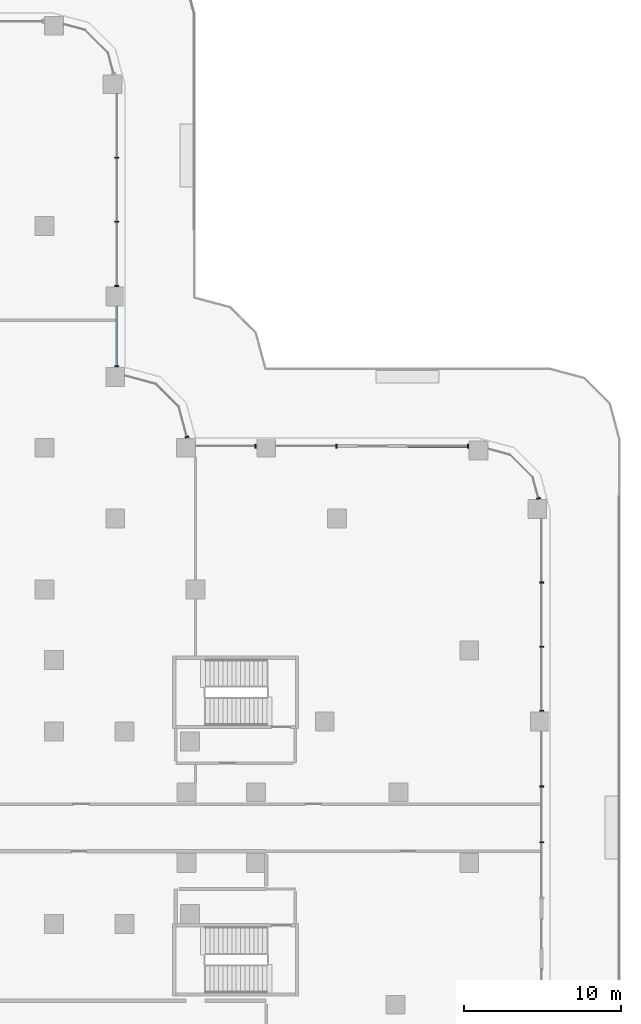
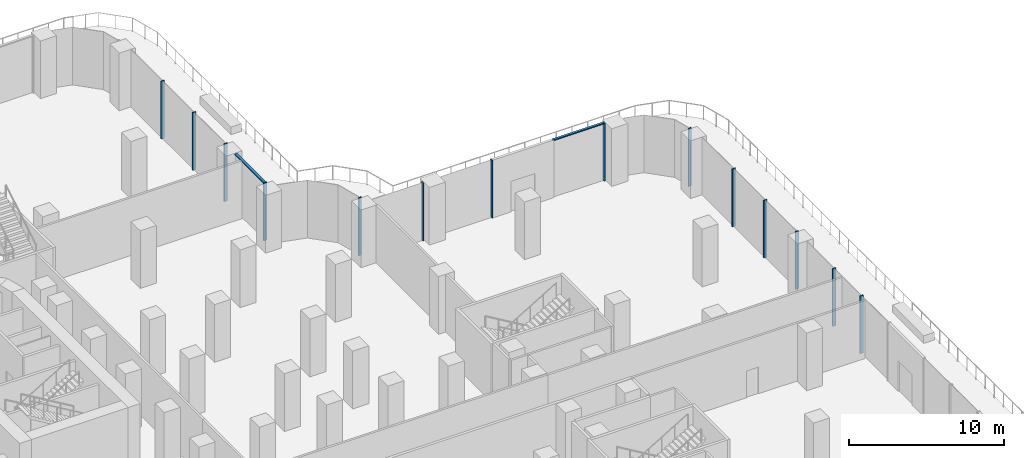
# One storey, part 8 of 30: 16 members, 5 elements without a shape of their own.
"""IFC4 building model written with IfcOpenShell, lengths in metres."""

from ifc_helpers import new_model, si_unit, direction, frame, origin, place, context, subcontext, project, spatial, polyline, outline, extrude, source, transform, mapped, material, type_object, element, aggregate, save


model = new_model("IFC4")

# Units and contexts
model_context = context("Model", 3, precision=1e-05, world=origin(), true_north=direction((0.0, 1.0)))
body_context = subcontext(model_context, "Body", "Model", "MODEL_VIEW")
ifc_project = project(units=[si_unit("LENGTHUNIT", "METRE"), si_unit("AREAUNIT", "SQUARE_METRE"), si_unit("VOLUMEUNIT", "CUBIC_METRE"), si_unit("PLANEANGLEUNIT", "RADIAN"), si_unit("MASSUNIT", "GRAM", prefix="KILO")], contexts=[model_context])

# Site, building, storey
site_placement = place(None, origin())
site = spatial("IfcSite", under=ifc_project, at=site_placement, CompositionType="ELEMENT")
building_placement = place(site_placement, origin())
building = spatial("IfcBuilding", under=site, at=building_placement, Name="Zarbagh Exchange Tower", CompositionType="ELEMENT")
storey_placement = place(building_placement, frame((0.0, 0.0, 7.0)))
storey = spatial("IfcBuildingStorey", under=building, at=storey_placement, Name="L01", CompositionType="ELEMENT", Elevation=7.0)

# Curtain wall, member
ifc_material_1 = material(Name="Anodised aluminium frame and glazing", Category="aluminium")
curtain_wall_type = type_object("IfcCurtainWallType", Name="CWC Podium garden-wall glazing", PredefinedType="NOTDEFINED", material=ifc_material_1)
curtain_wall_1_placement = place(storey_placement, origin())
curtain_wall_1 = element("IfcCurtainWall", 1, at=curtain_wall_1_placement, inside=storey, type_object=curtain_wall_type, Name="CWC70 curtain wall", PredefinedType="NOTDEFINED")
ifc_material_2 = material(Name="Anodised aluminium frame", Category="aluminium")
member_type_1 = type_object("IfcMemberType", Name="TRC Transom, anodised aluminium frame", PredefinedType="USERDEFINED", material=ifc_material_2)
shared_shape_1 = source(origin(), body_context, "Body", "SweptSolid", [
    extrude(outline(polyline([(-0.080078125, -0.090087890625), (0.0, -0.090087890625), (0.0, 0.090087890625), (-0.080078125, 0.090087890625), (-0.080078125, -0.090087890625)])), origin(), (0.0, 0.0, 1.0), 3.739990234375),
])
placement = place(storey_placement, origin())
member_1 = element("IfcMember", 2, at=placement, type_object=member_type_1, Name="CWC70 transom 1.1", ObjectType="TRANSOM", PredefinedType="USERDEFINED", context=body_context, shape_type="MappedRepresentation", body=[
    mapped(shared_shape_1, transform((24.25, 29.3701171875, 4.550048828125), x_axis=(0.0, 0.0, 1.0), y_axis=(1.0, 0.0, 0.0), z_axis=(0.0, 1.0, 0.0))),
])

# Curtain wall, members
curtain_wall_2_placement = place(storey_placement, origin())
curtain_wall_2 = element("IfcCurtainWall", 3, at=curtain_wall_2_placement, inside=storey, type_object=curtain_wall_type, Name="CWC62 curtain wall", PredefinedType="NOTDEFINED")
member_type_2 = type_object("IfcMemberType", Name="MUC Mullion, anodised aluminium frame", PredefinedType="MULLION", material=ifc_material_2)
shared_shape_2 = source(origin(), body_context, "Body", "SweptSolid", [
    extrude(outline(polyline([(0.0, -0.125), (0.080078125, -0.125), (0.080078125, 0.125), (0.0, 0.125), (0.0, -0.125)])), origin(), (0.0, 0.0, 1.0), 4.550048828125),
])
member_2 = element("IfcMember", 4, at=placement, type_object=member_type_2, Name="CWC62 mullion 2.2", PredefinedType="MULLION", context=body_context, shape_type="MappedRepresentation", body=[
    mapped(shared_shape_2, transform((51.25, -0.96337890625, 0.0), x_axis=(0.0, 1.0, 0.0), y_axis=(-1.0, 0.0, 0.0), z_axis=(0.0, 0.0, 1.0))),
])
member_3 = element("IfcMember", 5, at=placement, type_object=member_type_2, Name="CWC62 mullion 2.3", PredefinedType="MULLION", context=body_context, shape_type="MappedRepresentation", body=[
    mapped(shared_shape_2, transform((51.25, 2.5732421875, 0.0), x_axis=(0.0, 1.0, 0.0), y_axis=(-1.0, 0.0, 0.0), z_axis=(0.0, 0.0, 1.0))),
])
member_4 = element("IfcMember", 6, at=placement, type_object=member_type_2, Name="CWC62 mullion 3.1", PredefinedType="MULLION", context=body_context, shape_type="MappedRepresentation", body=[
    mapped(shared_shape_2, transform((51.25, 7.39013671875, 0.0), x_axis=(0.0, 1.0, 0.0), y_axis=(-1.0, 0.0, 0.0), z_axis=(0.0, 0.0, 1.0))),
])
member_5 = element("IfcMember", 7, at=placement, type_object=member_type_2, Name="CWC62 mullion 3.2", PredefinedType="MULLION", context=body_context, shape_type="MappedRepresentation", body=[
    mapped(shared_shape_2, transform((51.25, 11.46337890625, 0.0), x_axis=(0.0, 1.0, 0.0), y_axis=(-1.0, 0.0, 0.0), z_axis=(0.0, 0.0, 1.0))),
])
member_6 = element("IfcMember", 8, at=placement, type_object=member_type_2, Name="CWC62 mullion 3.3", PredefinedType="MULLION", context=body_context, shape_type="MappedRepresentation", body=[
    mapped(shared_shape_2, transform((51.25, 15.53662109375, 0.0), x_axis=(0.0, 1.0, 0.0), y_axis=(-1.0, 0.0, 0.0), z_axis=(0.0, 0.0, 1.0))),
])
aggregate(curtain_wall_2, [member_2, member_3, member_4, member_5, member_6])

# Curtain wall, member
curtain_wall_3_placement = place(storey_placement, origin())
curtain_wall_3 = element("IfcCurtainWall", 9, at=curtain_wall_3_placement, inside=storey, type_object=curtain_wall_type, Name="CWC63 curtain wall", PredefinedType="NOTDEFINED")
member_7 = element("IfcMember", 10, at=placement, type_object=member_type_2, Name="CWC63 mullion 1.1", PredefinedType="MULLION", context=body_context, shape_type="MappedRepresentation", body=[
    mapped(shared_shape_2, transform((51.060791015625, 20.889892578125, 0.0), x_axis=(-0.258824779902, 0.965924289636, 0.0), y_axis=(-0.965924289636, -0.258824779902, 0.0), z_axis=(0.0, 0.0, 1.0))),
])
aggregate(curtain_wall_3, [member_7])

# Curtain wall, members
curtain_wall_4_placement = place(storey_placement, origin())
curtain_wall_4 = element("IfcCurtainWall", 11, at=curtain_wall_4_placement, inside=storey, type_object=curtain_wall_type, Name="CWC66 curtain wall", PredefinedType="NOTDEFINED")
member_8 = element("IfcMember", 12, at=placement, type_object=member_type_2, Name="CWC66 mullion 1.1", PredefinedType="MULLION", context=body_context, shape_type="MappedRepresentation", body=[
    mapped(shared_shape_2, transform((46.60986328125, 24.25, 0.0), x_axis=(-1.0, 0.0, 0.0), y_axis=(0.0, -1.0, 0.0), z_axis=(0.0, 0.0, 1.0))),
])
member_9 = element("IfcMember", 13, at=placement, type_object=member_type_2, Name="CWC66 mullion 2.1", PredefinedType="MULLION", context=body_context, shape_type="MappedRepresentation", body=[
    mapped(shared_shape_2, transform((38.25, 24.25, 0.0), x_axis=(-1.0, 0.0, 0.0), y_axis=(0.0, -1.0, 0.0), z_axis=(0.0, 0.0, 1.0))),
])
member_10 = element("IfcMember", 14, at=placement, type_object=member_type_2, Name="CWC66 mullion 3.1", PredefinedType="MULLION", context=body_context, shape_type="MappedRepresentation", body=[
    mapped(shared_shape_2, transform((33.10986328125, 24.25, 0.0), x_axis=(-1.0, 0.0, 0.0), y_axis=(0.0, -1.0, 0.0), z_axis=(0.0, 0.0, 1.0))),
])

# Curtain wall, member
curtain_wall_5_placement = place(storey_placement, origin())
curtain_wall_5 = element("IfcCurtainWall", 15, at=curtain_wall_5_placement, inside=storey, type_object=curtain_wall_type, Name="CWC67 curtain wall", PredefinedType="NOTDEFINED")
member_11 = element("IfcMember", 16, at=placement, type_object=member_type_2, Name="CWC67 mullion 1.1", PredefinedType="MULLION", context=body_context, shape_type="MappedRepresentation", body=[
    mapped(shared_shape_2, transform((28.7216796875, 24.7900390625, 0.0), x_axis=(-0.258824779902, 0.965924289636, 0.0), y_axis=(-0.965924289636, -0.258824779902, 0.0), z_axis=(0.0, 0.0, 1.0))),
])
aggregate(curtain_wall_5, [member_11])

# Member
member_12 = element("IfcMember", 17, at=placement, type_object=member_type_2, Name="CWC70 mullion 1.1", PredefinedType="MULLION", context=body_context, shape_type="MappedRepresentation", body=[
    mapped(shared_shape_2, transform((24.25, 29.2900390625, 0.0), x_axis=(0.0, 1.0, 0.0), y_axis=(-1.0, 0.0, 0.0), z_axis=(0.0, 0.0, 1.0))),
])

member_13 = element("IfcMember", 18, at=placement, type_object=member_type_2, Name="CWC70 mullion 2.1", PredefinedType="MULLION", context=body_context, shape_type="MappedRepresentation", body=[
    mapped(shared_shape_2, transform((24.25, 34.39013671875, 0.0), x_axis=(0.0, 1.0, 0.0), y_axis=(-1.0, 0.0, 0.0), z_axis=(0.0, 0.0, 1.0))),
])

member_14 = element("IfcMember", 19, at=placement, type_object=member_type_2, Name="CWC70 mullion 2.2", PredefinedType="MULLION", context=body_context, shape_type="MappedRepresentation", body=[
    mapped(shared_shape_2, transform((24.25, 38.46337890625, 0.0), x_axis=(0.0, 1.0, 0.0), y_axis=(-1.0, 0.0, 0.0), z_axis=(0.0, 0.0, 1.0))),
])

member_15 = element("IfcMember", 20, at=placement, type_object=member_type_2, Name="CWC70 mullion 2.3", PredefinedType="MULLION", context=body_context, shape_type="MappedRepresentation", body=[
    mapped(shared_shape_2, transform((24.25, 42.53662109375, 0.0), x_axis=(0.0, 1.0, 0.0), y_axis=(-1.0, 0.0, 0.0), z_axis=(0.0, 0.0, 1.0))),
])

aggregate(curtain_wall_1, [member_12, member_1, member_13, member_14, member_15])

shared_shape_3 = source(origin(), body_context, "Body", "SweptSolid", [
    extrude(outline(polyline([(-0.080078125, -0.090087890625), (0.0, -0.090087890625), (0.0, 0.090087890625), (-0.080078125, 0.090087890625), (-0.080078125, -0.090087890625)])), origin(), (0.0, 0.0, 1.0), 3.780029296875),
])
member_16 = element("IfcMember", 21, at=placement, type_object=member_type_1, Name="CWC66 transom 1.1", ObjectType="TRANSOM", PredefinedType="USERDEFINED", context=body_context, shape_type="MappedRepresentation", body=[
    mapped(shared_shape_3, transform((46.530029296875, 24.25, 4.550048828125), x_axis=(0.0, 0.0, 1.0), y_axis=(0.0, 1.0, 0.0), z_axis=(-1.0, 0.0, 0.0))),
])

aggregate(curtain_wall_4, [member_8, member_16, member_9, member_10])

save(model, "model.ifc")
